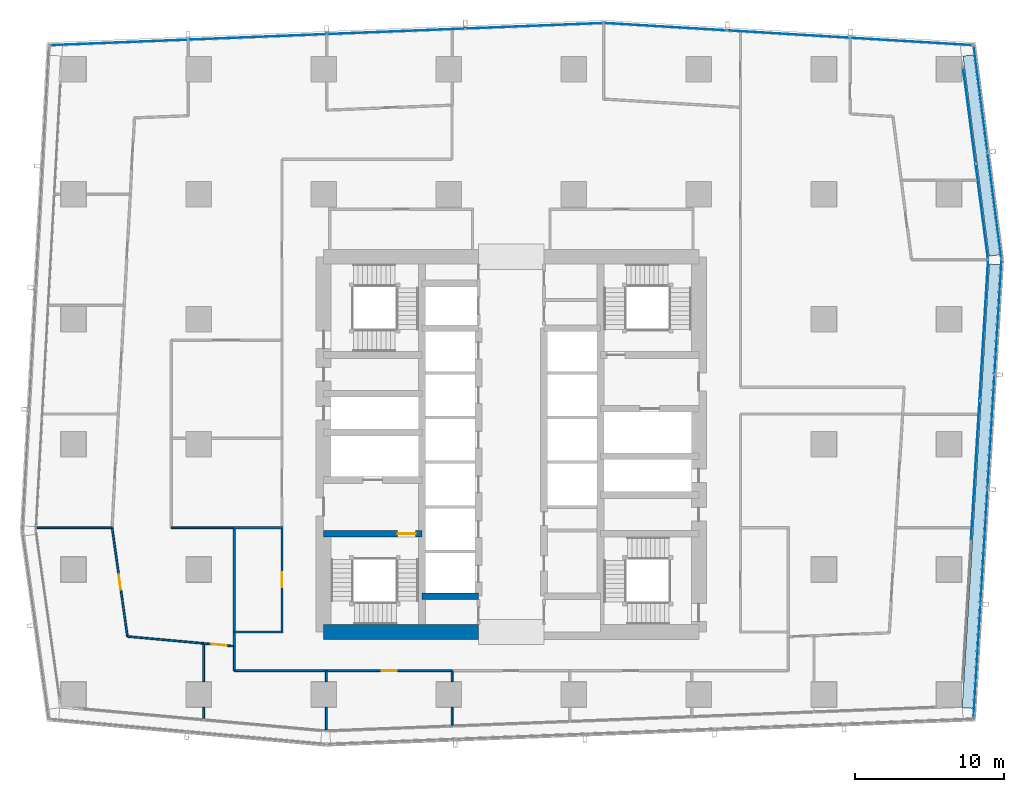
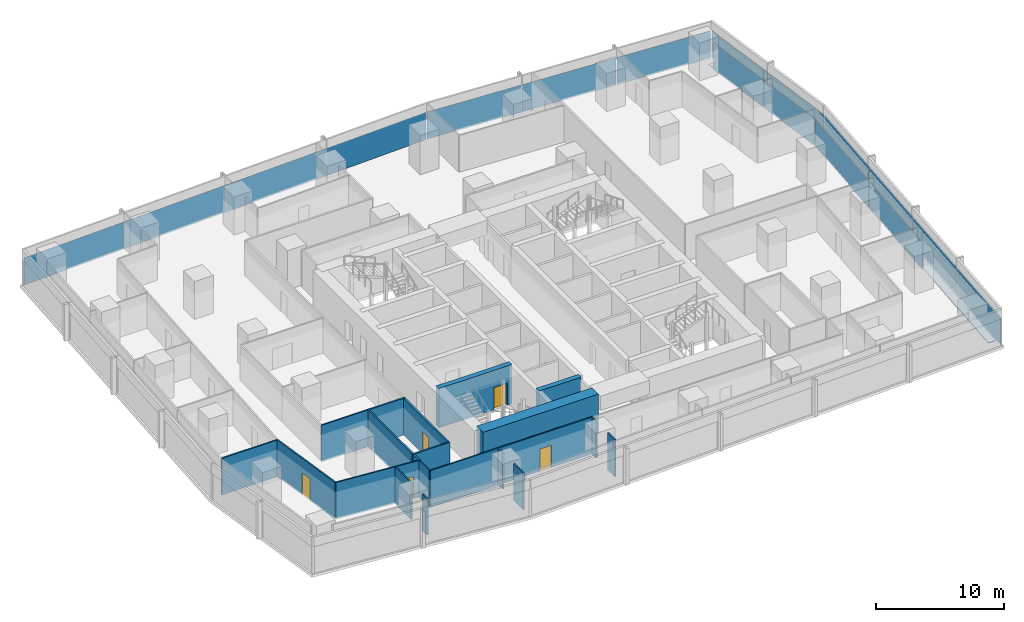
# One storey, part 28 of 40: 22 walls, 19 plates, 5 doors, 5 openings, 6 elements without a shape of their own.
"""IFC4 building model written with IfcOpenShell, lengths in metres."""

from ifc_helpers import new_model, si_unit, direction, frame, frame_2d, origin, origin_2d, place, context, subcontext, project, spatial, rectangle, extrude, material, layer, layer_set, type_object, element, fill, aggregate, save


model = new_model("IFC4")

# Units and contexts
model_context = context("Model", 3, precision=1e-05, world=origin(), true_north=direction((0.0, 1.0)))
body_context = subcontext(model_context, "Body", "Model", "MODEL_VIEW")
ifc_project = project(units=[si_unit("LENGTHUNIT", "METRE"), si_unit("AREAUNIT", "SQUARE_METRE"), si_unit("VOLUMEUNIT", "CUBIC_METRE"), si_unit("PLANEANGLEUNIT", "RADIAN"), si_unit("MASSUNIT", "GRAM", prefix="KILO")], contexts=[model_context])

# Site, building, storey
site_placement = place(None, origin())
site = spatial("IfcSite", under=ifc_project, at=site_placement, CompositionType="ELEMENT")
building_placement = place(site_placement, origin())
building = spatial("IfcBuilding", under=site, at=building_placement, Name="Rekha Terrace Tower", CompositionType="ELEMENT")
storey_placement = place(building_placement, frame((0.0, 0.0, 132.800048828125)))
storey = spatial("IfcBuildingStorey", under=building, at=storey_placement, Name="L33", CompositionType="ELEMENT", Elevation=132.800048828125)

# Curtain wall, plates
ifc_material_1 = material(Name="Aluminium framing", Category="aluminium")
curtain_wall_type_1 = type_object("IfcCurtainWallType", Name="CW1 double skin inner glazing", PredefinedType="USERDEFINED", material=ifc_material_1)
curtain_wall_1_placement = place(storey_placement, origin())
curtain_wall_1 = element("IfcCurtainWall", 1, at=curtain_wall_1_placement, inside=storey, type_object=curtain_wall_type_1, Name="CW1 double skin inner glazing", ObjectType="DOUBLE SKIN INNER GLAZING", PredefinedType="USERDEFINED")
ifc_material_2 = material(Name="Double-glazed low-e unit 32", Category="glass")
ifc_layer_1 = layer(ifc_material_2, 0.031982421875)
ifc_layer_set_1 = layer_set([ifc_layer_1], Name="Double-glazed low-e unit 32")
plate_type_1 = type_object("IfcPlateType", Name="CW1 jumbo vision panel, double-glazed low-e unit 32", PredefinedType="CURTAIN_PANEL", material=ifc_layer_set_1)
plate_1_placement = place(storey_placement, frame((68.968505859375, 31.8193359375, 0.0), z_axis=(0.0, 0.0, 1.0), x_axis=(0.061159803131, 0.998127987024, 0.0)))
plate_1 = element("IfcPlate", 2, at=plate_1_placement, type_object=plate_type_1, Name="CW1 panel 2.1", PredefinedType="CURTAIN_PANEL", context=body_context, shape_type="SweptSolid", body=[
    extrude(rectangle(XDim=9.3876953125, YDim=0.031982421875, at=origin_2d()), origin(), (0.0, 0.0, 1.0), 2.60009765625),
])
plate_2_placement = place(storey_placement, frame((69.547607421875, 41.2705078125, 0.0), z_axis=(0.0, 0.0, 1.0), x_axis=(0.061159803131, 0.998127987024, 0.0)))
plate_2 = element("IfcPlate", 3, at=plate_2_placement, type_object=plate_type_1, Name="CW1 panel 3.1", PredefinedType="CURTAIN_PANEL", context=body_context, shape_type="SweptSolid", body=[
    extrude(rectangle(XDim=9.420166015625, YDim=0.031982421875, at=origin_2d()), origin(), (0.0, 0.0, 1.0), 2.60009765625),
])
aggregate(curtain_wall_1, [plate_1, plate_2])

curtain_wall_2_placement = place(storey_placement, origin())
curtain_wall_2 = element("IfcCurtainWall", 4, at=curtain_wall_2_placement, inside=storey, type_object=curtain_wall_type_1, Name="CW1 double skin inner glazing", ObjectType="DOUBLE SKIN INNER GLAZING", PredefinedType="USERDEFINED")
plate_3_placement = place(storey_placement, frame((69.411376953125, 49.230712890625, 0.0), z_axis=(0.0, 0.0, 1.0), x_axis=(-0.129118383675, 0.991629186237, 0.0)))
plate_3 = element("IfcPlate", 5, at=plate_3_placement, type_object=plate_type_1, Name="CW1 panel 1.1", PredefinedType="CURTAIN_PANEL", context=body_context, shape_type="SweptSolid", body=[
    extrude(rectangle(XDim=6.443115234375, YDim=0.031982421875, at=origin_2d()), origin(), (0.0, 0.0, 1.0), 2.60009765625),
])
plate_4_placement = place(storey_placement, frame((68.571044921875, 55.68408203125, 0.0), z_axis=(0.0, 0.0, 1.0), x_axis=(-0.129118383675, 0.991629186237, 0.0)))
plate_4 = element("IfcPlate", 6, at=plate_4_placement, type_object=plate_type_1, Name="CW1 panel 2.1", PredefinedType="CURTAIN_PANEL", context=body_context, shape_type="SweptSolid", body=[
    extrude(rectangle(XDim=6.443115234375, YDim=0.031982421875, at=origin_2d()), origin(), (0.0, 0.0, 1.0), 2.60009765625),
])
aggregate(curtain_wall_2, [plate_3, plate_4])

curtain_wall_type_2 = type_object("IfcCurtainWallType", Name="CW2 double skin outer glazing", PredefinedType="USERDEFINED", material=ifc_material_1)
curtain_wall_3_placement = place(storey_placement, origin())
curtain_wall_3 = element("IfcCurtainWall", 7, at=curtain_wall_3_placement, inside=storey, type_object=curtain_wall_type_2, Name="CW2 double skin outer glazing", ObjectType="DOUBLE SKIN OUTER GLAZING", PredefinedType="USERDEFINED")
ifc_material_3 = material(Name="Toughened single glazing 12", Category="glass")
ifc_layer_2 = layer(ifc_material_3, 0.011962890625)
ifc_layer_set_2 = layer_set([ifc_layer_2], Name="Toughened single glazing 12")
plate_type_2 = type_object("IfcPlateType", Name="CW2 jumbo vision panel, toughened single glazing 12", PredefinedType="CURTAIN_PANEL", material=ifc_layer_set_2)
plate_5_placement = place(storey_placement, frame((69.086669921875, 19.0302734375, 0.0), z_axis=(0.0, 0.0, 1.0), x_axis=(0.061159803131, 0.998127987024, 0.0)))
plate_5 = element("IfcPlate", 8, at=plate_5_placement, type_object=plate_type_2, Name="CW2 panel 1.1", PredefinedType="CURTAIN_PANEL", context=body_context, shape_type="SweptSolid", body=[
    extrude(rectangle(XDim=7.6064453125, YDim=0.011962890625, at=origin_2d()), origin(), (0.0, 0.0, 1.0), 2.60009765625),
])
plate_6_placement = place(storey_placement, frame((69.557861328125, 26.722412109375, 0.0), z_axis=(0.0, 0.0, 1.0), x_axis=(0.061159803131, 0.998127987024, 0.0)))
plate_6 = element("IfcPlate", 9, at=plate_6_placement, type_object=plate_type_2, Name="CW2 panel 2.1", PredefinedType="CURTAIN_PANEL", context=body_context, shape_type="SweptSolid", body=[
    extrude(rectangle(XDim=7.646484375, YDim=0.011962890625, at=origin_2d()), origin(), (0.0, 0.0, 1.0), 2.60009765625),
])
plate_7_placement = place(storey_placement, frame((70.030517578125, 34.434326171875, 0.0), z_axis=(0.0, 0.0, 1.0), x_axis=(0.061159803131, 0.998127987024, 0.0)))
plate_7 = element("IfcPlate", 10, at=plate_7_placement, type_object=plate_type_2, Name="CW2 panel 3.1", PredefinedType="CURTAIN_PANEL", context=body_context, shape_type="SweptSolid", body=[
    extrude(rectangle(XDim=7.646484375, YDim=0.011962890625, at=origin_2d()), origin(), (0.0, 0.0, 1.0), 2.60009765625),
])
plate_8_placement = place(storey_placement, frame((70.50439453125, 42.16650390625, 0.0), z_axis=(0.0, 0.0, 1.0), x_axis=(0.061159803131, 0.998127987024, 0.0)))
plate_8 = element("IfcPlate", 11, at=plate_8_placement, type_object=plate_type_2, Name="CW2 panel 4.1", PredefinedType="CURTAIN_PANEL", context=body_context, shape_type="SweptSolid", body=[
    extrude(rectangle(XDim=7.6865234375, YDim=0.011962890625, at=origin_2d()), origin(), (0.0, 0.0, 1.0), 2.60009765625),
])
aggregate(curtain_wall_3, [plate_5, plate_6, plate_7, plate_8])

curtain_wall_4_placement = place(storey_placement, origin())
curtain_wall_4 = element("IfcCurtainWall", 12, at=curtain_wall_4_placement, inside=storey, type_object=curtain_wall_type_2, Name="CW2 double skin outer glazing", ObjectType="DOUBLE SKIN OUTER GLAZING", PredefinedType="USERDEFINED")
plate_9_placement = place(storey_placement, frame((70.2666015625, 49.6337890625, 0.0), z_axis=(0.0, 0.0, 1.0), x_axis=(-0.129118383623, 0.991629186244, 0.0)))
plate_9 = element("IfcPlate", 13, at=plate_9_placement, type_object=plate_type_2, Name="CW2 panel 1.1", PredefinedType="CURTAIN_PANEL", context=body_context, shape_type="SweptSolid", body=[
    extrude(rectangle(XDim=7.163818359375, YDim=0.011962890625, at=origin_2d()), origin(), (0.0, 0.0, 1.0), 2.60009765625),
])
plate_10_placement = place(storey_placement, frame((69.331298828125, 56.81689453125, 0.0), z_axis=(0.0, 0.0, 1.0), x_axis=(-0.129118383623, 0.991629186244, 0.0)))
plate_10 = element("IfcPlate", 14, at=plate_10_placement, type_object=plate_type_2, Name="CW2 panel 2.1", PredefinedType="CURTAIN_PANEL", context=body_context, shape_type="SweptSolid", body=[
    extrude(rectangle(XDim=7.163818359375, YDim=0.011962890625, at=origin_2d()), origin(), (0.0, 0.0, 1.0), 2.60009765625),
])
aggregate(curtain_wall_4, [plate_9, plate_10])

curtain_wall_type_3 = type_object("IfcCurtainWallType", Name="CW3 north unitised glazing", PredefinedType="USERDEFINED", material=ifc_material_1)
curtain_wall_5_placement = place(storey_placement, origin())
curtain_wall_5 = element("IfcCurtainWall", 15, at=curtain_wall_5_placement, inside=storey, type_object=curtain_wall_type_3, Name="CW3 unitised curtain wall", ObjectType="UNITISED CURTAIN WALL", PredefinedType="USERDEFINED")
ifc_material_4 = material(Name="Double-glazed unit 28", Category="glass")
ifc_layer_3 = layer(ifc_material_4, 0.028076171875)
ifc_layer_set_3 = layer_set([ifc_layer_3], Name="Double-glazed unit 28")
plate_type_3 = type_object("IfcPlateType", Name="CW3 jumbo vision panel, double-glazed unit 28", PredefinedType="CURTAIN_PANEL", material=ifc_layer_set_3)
plate_11_placement = place(storey_placement, frame((64.6748046875, 60.65966796875, 0.0), z_axis=(0.0, 0.0, 1.0), x_axis=(-0.998199102701, 0.059987926837, 0.0)))
plate_11 = element("IfcPlate", 16, at=plate_11_placement, type_object=plate_type_3, Name="CW3 panel 1.1", PredefinedType="CURTAIN_PANEL", context=body_context, shape_type="SweptSolid", body=[
    extrude(rectangle(XDim=8.171630859375, YDim=0.028076171875, at=origin_2d()), origin(), (0.0, 0.0, 1.0), 2.60009765625),
])
plate_12_placement = place(storey_placement, frame((56.430419921875, 61.155029296875, 0.0), z_axis=(0.0, 0.0, 1.0), x_axis=(-0.998199102701, 0.059987926837, 0.0)))
plate_12 = element("IfcPlate", 17, at=plate_12_placement, type_object=plate_type_3, Name="CW3 panel 2.1", PredefinedType="CURTAIN_PANEL", context=body_context, shape_type="SweptSolid", body=[
    extrude(rectangle(XDim=8.20654296875, YDim=0.028076171875, at=origin_2d()), origin(), (0.0, 0.0, 1.0), 2.60009765625),
])
plate_13_placement = place(storey_placement, frame((48.1513671875, 61.652587890625, 0.0), z_axis=(0.0, 0.0, 1.0), x_axis=(-0.998199102701, 0.059987926837, 0.0)))
plate_13 = element("IfcPlate", 18, at=plate_13_placement, type_object=plate_type_3, Name="CW3 panel 3.1", PredefinedType="CURTAIN_PANEL", context=body_context, shape_type="SweptSolid", body=[
    extrude(rectangle(XDim=8.24169921875, YDim=0.028076171875, at=origin_2d()), origin(), (0.0, 0.0, 1.0), 2.60009765625),
])
aggregate(curtain_wall_5, [plate_11, plate_12, plate_13])

curtain_wall_6_placement = place(storey_placement, origin())
curtain_wall_6 = element("IfcCurtainWall", 19, at=curtain_wall_6_placement, inside=storey, type_object=curtain_wall_type_3, Name="CW3 unitised curtain wall", ObjectType="UNITISED CURTAIN WALL", PredefinedType="USERDEFINED")
plate_14_placement = place(storey_placement, frame((39.364501953125, 61.71240234375, 0.0), z_axis=(0.0, 0.0, 1.0), x_axis=(-0.999198398721, -0.040031987119, 0.0)))
plate_14 = element("IfcPlate", 20, at=plate_14_placement, type_object=plate_type_3, Name="CW3 panel 1.1", PredefinedType="CURTAIN_PANEL", context=body_context, shape_type="SweptSolid", body=[
    extrude(rectangle(XDim=9.214599609375, YDim=0.028076171875, at=origin_2d()), origin(), (0.0, 0.0, 1.0), 2.60009765625),
])
plate_15_placement = place(storey_placement, frame((30.06982421875, 61.340087890625, 0.0), z_axis=(0.0, 0.0, 1.0), x_axis=(-0.999198398721, -0.040031987119, 0.0)))
plate_15 = element("IfcPlate", 21, at=plate_15_placement, type_object=plate_type_3, Name="CW3 panel 2.1", PredefinedType="CURTAIN_PANEL", context=body_context, shape_type="SweptSolid", body=[
    extrude(rectangle(XDim=9.24951171875, YDim=0.028076171875, at=origin_2d()), origin(), (0.0, 0.0, 1.0), 2.60009765625),
])
plate_16_placement = place(storey_placement, frame((20.7578125, 60.967041015625, 0.0), z_axis=(0.0, 0.0, 1.0), x_axis=(-0.999198398721, -0.040031987119, 0.0)))
plate_16 = element("IfcPlate", 22, at=plate_16_placement, type_object=plate_type_3, Name="CW3 panel 3.1", PredefinedType="CURTAIN_PANEL", context=body_context, shape_type="SweptSolid", body=[
    extrude(rectangle(XDim=9.24951171875, YDim=0.028076171875, at=origin_2d()), origin(), (0.0, 0.0, 1.0), 2.60009765625),
])
plate_17_placement = place(storey_placement, frame((11.46337890625, 60.5947265625, 0.0), z_axis=(0.0, 0.0, 1.0), x_axis=(-0.999198398721, -0.040031987119, 0.0)))
plate_17 = element("IfcPlate", 23, at=plate_17_placement, type_object=plate_type_3, Name="CW3 panel 4.1", PredefinedType="CURTAIN_PANEL", context=body_context, shape_type="SweptSolid", body=[
    extrude(rectangle(XDim=9.214599609375, YDim=0.028076171875, at=origin_2d()), origin(), (0.0, 0.0, 1.0), 2.60009765625),
])
aggregate(curtain_wall_6, [plate_14, plate_15, plate_16, plate_17])

# Plates
ifc_material_5 = material(Name="Galvanised steel open grating", Category="steel")
ifc_layer_4 = layer(ifc_material_5, 0.050048828125)
ifc_layer_set_4 = layer_set([ifc_layer_4], Name="Galvanised steel open grating")
plate_type_4 = type_object("IfcPlateType", Name="GT1 cavity walkway grating 50", PredefinedType="USERDEFINED", material=ifc_layer_set_4)
plate_18_placement = place(storey_placement, frame((69.356201171875, 30.78759765625, 0.0), z_axis=(0.0, 0.0, 1.0), x_axis=(0.061159803131, 0.998127987024, 0.0)))
element("IfcPlate", 24, at=plate_18_placement, inside=storey, type_object=plate_type_4, Name="Cavity walkway grating", ObjectType="CAVITY WALKWAY GRATING", PredefinedType="USERDEFINED", context=body_context, shape_type="SweptSolid", body=[
    extrude(rectangle(XDim=29.85595703125, YDim=0.705078125, at=origin_2d()), origin(), (0.0, 0.0, 1.0), 0.050048828125),
])
plate_19_placement = place(storey_placement, frame((69.373779296875, 53.004150390625, 0.0), z_axis=(0.0, 0.0, 1.0), x_axis=(-0.129118383623, 0.991629186244, 0.0)))
element("IfcPlate", 25, at=plate_19_placement, inside=storey, type_object=plate_type_4, Name="Cavity walkway grating", ObjectType="CAVITY WALKWAY GRATING", PredefinedType="USERDEFINED", context=body_context, shape_type="SweptSolid", body=[
    extrude(rectangle(XDim=13.552734375, YDim=0.705078125, at=origin_2d()), origin(), (0.0, 0.0, 1.0), 0.050048828125),
])

# Wall
ifc_material_6 = material(Name="Concrete M70", Category="concrete")
ifc_layer_5 = layer(ifc_material_6, 0.449951171875)
ifc_layer_set_5 = layer_set([ifc_layer_5], Name="Concrete M70")
wall_type_1 = type_object("IfcWallType", Name="CI2 450 core internal shear wall", PredefinedType="SHEAR", material=ifc_layer_set_5)
wall_1_placement = place(storey_placement, frame((31.800048828125, 23.39990234375, 0.0), z_axis=(0.0, 0.0, 1.0), x_axis=(1.0, 0.0, 0.0)))
element("IfcWall", 26, at=wall_1_placement, inside=storey, type_object=wall_type_1, Name="Core wall Y234W L33", PredefinedType="SHEAR", context=body_context, shape_type="SweptSolid", body=[
    extrude(rectangle(XDim=3.800048828125, YDim=0.449951171875, at=frame_2d((1.89990234375, 0.0))), origin(), (0.0, 0.0, 1.0), 3.75),
])

# Wall, opening, door
wall_2_placement = place(storey_placement, frame((25.199951171875, 27.60009765625, 0.0), z_axis=(0.0, 0.0, 1.0), x_axis=(1.0, 0.0, 0.0)))
wall_2 = element("IfcWall", 27, at=wall_2_placement, inside=storey, type_object=wall_type_1, Name="Core wall Y276W L33", PredefinedType="SHEAR", context=body_context, shape_type="SweptSolid", body=[
    extrude(rectangle(XDim=6.60009765625, YDim=0.449951171875, at=frame_2d((3.300048828125, 0.0))), origin(), (0.0, 0.0, 1.0), 3.75),
])
opening_1_placement = place(wall_2_placement, frame((4.97509765625, 0.0, 0.0)))
opening_1 = element("IfcOpeningElement", 28, at=opening_1_placement, cuts=wall_2, Name="Opening D1", PredefinedType="OPENING", context=body_context, shape_type="SweptSolid", body=[
    extrude(rectangle(XDim=1.199951171875, YDim=2.10009765625, at=frame_2d((0.60009765625, 1.050048828125))), frame((0.0, 0.23486328125, 0.0), z_axis=(0.0, -1.0, 0.0), x_axis=(1.0, 0.0, 0.0)), (0.0, 0.0, 1.0), 0.469970703125),
])
ifc_material_7 = material(Name="Steel fire door", Category="steel")
door_type_1 = type_object("IfcDoorType", Name="D1 1200x2100 stair fire door", OperationType="SINGLE_SWING_RIGHT", PredefinedType="DOOR", material=ifc_material_7)
door_1_placement = place(opening_1_placement, origin())
door_1 = element("IfcDoor", 29, at=door_1_placement, inside=storey, type_object=door_type_1, Name="Stair ST1 door L33", OperationType="SINGLE_SWING_RIGHT", OverallHeight=2.10009765625, OverallWidth=1.199951171875, PredefinedType="DOOR", context=body_context, shape_type="SweptSolid", body=[
    extrude(rectangle(XDim=1.199951171875, YDim=2.10009765625, at=frame_2d((0.60009765625, 1.050048828125))), frame((0.0, 0.02490234375, 0.0), z_axis=(0.0, -1.0, 0.0), x_axis=(1.0, 0.0, 0.0)), (0.0, 0.0, 1.0), 0.050048828125),
])
fill(opening_1, door_1)

# Walls
ifc_layer_6 = layer(ifc_material_6, 1.0)
ifc_layer_set_6 = layer_set([ifc_layer_6], Name="Concrete M70")
wall_type_2 = type_object("IfcWallType", Name="SW2 1000 core outer shear wall", PredefinedType="SHEAR", material=ifc_layer_set_6)
wall_3_placement = place(storey_placement, frame((25.199951171875, 21.0, 0.0), z_axis=(0.0, 0.0, 1.0), x_axis=(1.0, 0.0, 0.0)))
element("IfcWall", 30, at=wall_3_placement, inside=storey, type_object=wall_type_2, Name="Core wall S1 L33", PredefinedType="SHEAR", context=body_context, shape_type="SweptSolid", body=[
    extrude(rectangle(XDim=10.400146484375, YDim=1.0, at=frame_2d((5.2001953125, 0.0))), origin(), (0.0, 0.0, 1.0), 3.75),
])
ifc_material_8 = material(Name="Concrete block masonry, 1 hour", Category="masonry")
ifc_layer_7 = layer(ifc_material_8, 0.14990234375)
ifc_layer_set_7 = layer_set([ifc_layer_7], Name="Concrete block masonry, 1 hour")
wall_type_3 = type_object("IfcWallType", Name="WP2 150 tenancy partition", PredefinedType="PARTITIONING", material=ifc_layer_set_7)
for number, where, z_axis, x_axis, name in (
    (31, (19.125, 21.0, 0.0), (0.0, 0.0, 1.0), (1.0, 0.0, 0.0), "Men's WC wall L33"),
    (32, (19.125, 28.0, 0.0), (0.0, 0.0, 1.0), (1.0, 0.0, 0.0), "Men's WC wall L33"),
):
    element("IfcWall", number, at=place(storey_placement, frame(where, z_axis=z_axis, x_axis=x_axis)), inside=storey, type_object=wall_type_3, Name=name, PredefinedType="PARTITIONING", context=body_context, shape_type="SweptSolid", body=[
        extrude(rectangle(XDim=3.35009765625, YDim=0.14990234375, at=frame_2d((1.675048828125, 0.0))), origin(), (0.0, 0.0, 1.0), 3.5),
    ])
wall_4_placement = place(storey_placement, frame((19.199951171875, 21.074951171875, 0.0), z_axis=(0.0, 0.0, 1.0), x_axis=(0.0, 1.0, 0.0)))
element("IfcWall", 33, at=wall_4_placement, inside=storey, type_object=wall_type_3, Name="Men's WC wall L33", PredefinedType="PARTITIONING", context=body_context, shape_type="SweptSolid", body=[
    extrude(rectangle(XDim=6.85009765625, YDim=0.14990234375, at=frame_2d((3.425048828125, 0.0))), origin(), (0.0, 0.0, 1.0), 3.5),
])

# Wall, opening, door
wall_5_placement = place(storey_placement, frame((22.39990234375, 21.074951171875, 0.0), z_axis=(0.0, 0.0, 1.0), x_axis=(0.0, 1.0, 0.0)))
wall_5 = element("IfcWall", 34, at=wall_5_placement, inside=storey, type_object=wall_type_3, Name="Men's WC wall L33", PredefinedType="PARTITIONING", context=body_context, shape_type="SweptSolid", body=[
    extrude(rectangle(XDim=6.85009765625, YDim=0.14990234375, at=frame_2d((3.425048828125, 0.0))), origin(), (0.0, 0.0, 1.0), 3.5),
])
opening_2_placement = place(wall_5_placement, frame((2.925048828125, 0.0, 0.0)))
opening_2 = element("IfcOpeningElement", 35, at=opening_2_placement, cuts=wall_5, Name="Opening D3", PredefinedType="OPENING", context=body_context, shape_type="SweptSolid", body=[
    extrude(rectangle(XDim=1.0, YDim=2.10009765625, at=frame_2d((0.5, 1.050048828125))), frame((0.0, 0.0849609375, 0.0), z_axis=(0.0, -1.0, 0.0), x_axis=(1.0, 0.0, 0.0)), (0.0, 0.0, 1.0), 0.169921875),
])
ifc_material_9 = material(Name="Laminated timber fire door", Category="wood")
door_type_2 = type_object("IfcDoorType", Name="D3 1000x2100 WC door", OperationType="SINGLE_SWING_LEFT", PredefinedType="DOOR", material=ifc_material_9)
door_2_placement = place(opening_2_placement, origin())
door_2 = element("IfcDoor", 36, at=door_2_placement, inside=storey, type_object=door_type_2, Name="Door men's wc L33", OperationType="SINGLE_SWING_LEFT", OverallHeight=2.10009765625, OverallWidth=1.0, PredefinedType="DOOR", context=body_context, shape_type="SweptSolid", body=[
    extrude(rectangle(XDim=1.0, YDim=2.10009765625, at=frame_2d((0.5, 1.050048828125))), frame((0.0, 0.02490234375, 0.0), z_axis=(0.0, -1.0, 0.0), x_axis=(1.0, 0.0, 0.0)), (0.0, 0.0, 1.0), 0.050048828125),
])
fill(opening_2, door_2)

# Wall
wall_6_placement = place(storey_placement, frame((19.199951171875, 20.925048828125, 0.0), z_axis=(0.0, 0.0, 1.0), x_axis=(0.0, -1.0, 0.0)))
element("IfcWall", 37, at=wall_6_placement, inside=storey, type_object=wall_type_3, Name="Partition L33-O2", PredefinedType="PARTITIONING", context=body_context, shape_type="SweptSolid", body=[
    extrude(rectangle(XDim=0.884033203125, YDim=0.14990234375, at=frame_2d((0.44189453125, 0.0))), origin(), (0.0, 0.0, 1.0), 3.5),
])

# Wall, opening, door
ifc_material_10 = material(Name="Two layers of fire-rated gypsum board each side on steel studs, acoustic quilt, 1 hour", Category="steel")
ifc_layer_8 = layer(ifc_material_10, 0.125)
ifc_layer_set_8 = layer_set([ifc_layer_8], Name="Two layers of fire-rated gypsum board each side on steel studs, acoustic quilt, 1 hour")
wall_type_4 = type_object("IfcWallType", Name="WP3 125 office partition", PredefinedType="PARTITIONING", material=ifc_layer_set_8)
wall_7_placement = place(storey_placement, frame((25.3798828125, 18.39990234375, 0.0), z_axis=(0.0, 0.0, 1.0), x_axis=(1.0, 0.0, 0.0)))
wall_7 = element("IfcWall", 38, at=wall_7_placement, inside=storey, type_object=wall_type_4, Name="Partition L33-08", PredefinedType="PARTITIONING", context=body_context, shape_type="SweptSolid", body=[
    extrude(rectangle(XDim=8.445068359375, YDim=0.125, at=frame_2d((4.22265625, 0.0))), origin(), (0.0, 0.0, 1.0), 3.5),
])
opening_3_placement = place(wall_7_placement, frame((3.722900390625, 0.0, 0.0)))
opening_3 = element("IfcOpeningElement", 39, at=opening_3_placement, cuts=wall_7, Name="Opening D9", PredefinedType="OPENING", context=body_context, shape_type="SweptSolid", body=[
    extrude(rectangle(XDim=1.0, YDim=2.10009765625, at=frame_2d((0.5, 1.050048828125))), frame((0.0, 0.072509765625, 0.0), z_axis=(0.0, -1.0, 0.0), x_axis=(1.0, 0.0, 0.0)), (0.0, 0.0, 1.0), 0.14501953125),
])
ifc_material_11 = material(Name="Timber fire door", Category="wood")
door_type_3 = type_object("IfcDoorType", Name="D9 1000x2100 office door", OperationType="SINGLE_SWING_LEFT", PredefinedType="DOOR", material=ifc_material_11)
door_3_placement = place(opening_3_placement, origin())
door_3 = element("IfcDoor", 40, at=door_3_placement, inside=storey, type_object=door_type_3, Name="Door print room L33", OperationType="SINGLE_SWING_LEFT", OverallHeight=2.10009765625, OverallWidth=1.0, PredefinedType="DOOR", context=body_context, shape_type="SweptSolid", body=[
    extrude(rectangle(XDim=1.0, YDim=2.10009765625, at=frame_2d((0.5, 1.050048828125))), frame((0.0, 0.02490234375, 0.0), z_axis=(0.0, -1.0, 0.0), x_axis=(1.0, 0.0, 0.0)), (0.0, 0.0, 1.0), 0.050048828125),
])
fill(opening_3, door_3)

# Walls
wall_8_placement = place(storey_placement, frame((33.824951171875, 18.39990234375, 0.0), z_axis=(0.0, 0.0, 1.0), x_axis=(0.0, -1.0, 0.0)))
element("IfcWall", 41, at=wall_8_placement, inside=storey, type_object=wall_type_4, Name="Partition L33-08", PredefinedType="PARTITIONING", context=body_context, shape_type="SweptSolid", body=[
    extrude(rectangle(XDim=0.72998046875, YDim=0.125, at=frame_2d((0.364990234375, 0.0))), origin(), (0.0, 0.0, 1.0), 3.5),
])
wall_9_placement = place(storey_placement, frame((33.824951171875, 15.929931640625, 0.0), z_axis=(0.0, 0.0, 1.0), x_axis=(0.0, -1.0, 0.0)))
element("IfcWall", 42, at=wall_9_placement, inside=storey, type_object=wall_type_4, Name="Partition L33-08", PredefinedType="PARTITIONING", context=body_context, shape_type="SweptSolid", body=[
    extrude(rectangle(XDim=1.18798828125, YDim=0.125, at=frame_2d((0.593994140625, 0.0))), origin(), (0.0, 0.0, 1.0), 3.5),
])
wall_10_placement = place(storey_placement, frame((25.3798828125, 14.443115234375, 0.0), z_axis=(0.0, 0.0, 1.0), x_axis=(0.0, 1.0, 0.0)))
element("IfcWall", 43, at=wall_10_placement, inside=storey, type_object=wall_type_4, Name="Partition L33-08", PredefinedType="PARTITIONING", context=body_context, shape_type="SweptSolid", body=[
    extrude(rectangle(XDim=1.48681640625, YDim=0.125, at=frame_2d((0.743408203125, 0.0))), origin(), (0.0, 0.0, 1.0), 3.5),
])
wall_11_placement = place(storey_placement, frame((25.3798828125, 17.669921875, 0.0), z_axis=(0.0, 0.0, 1.0), x_axis=(0.0, 1.0, 0.0)))
element("IfcWall", 44, at=wall_11_placement, inside=storey, type_object=wall_type_4, Name="Partition L33-08", PredefinedType="PARTITIONING", context=body_context, shape_type="SweptSolid", body=[
    extrude(rectangle(XDim=0.72998046875, YDim=0.125, at=frame_2d((0.364990234375, 0.0))), origin(), (0.0, 0.0, 1.0), 3.5),
])
wall_12_placement = place(storey_placement, frame((10.98193359375, 28.0, 0.0), z_axis=(0.0, 0.0, 1.0), x_axis=(-1.0, 0.0, 0.0)))
element("IfcWall", 45, at=wall_12_placement, inside=storey, type_object=wall_type_4, Name="Partition L33-15", PredefinedType="PARTITIONING", context=body_context, shape_type="SweptSolid", body=[
    extrude(rectangle(XDim=5.02783203125, YDim=0.125, at=frame_2d((2.513916015625, 0.0))), origin(), (0.0, 0.0, 1.0), 3.5),
])

# Wall, opening, door
wall_13_placement = place(storey_placement, frame((10.988037109375, 27.9990234375, 0.0), z_axis=(0.0, 0.0, 1.0), x_axis=(0.139623458625, -0.990204670662, 0.0)))
wall_13 = element("IfcWall", 46, at=wall_13_placement, inside=storey, type_object=wall_type_4, Name="Partition L33-16", PredefinedType="PARTITIONING", context=body_context, shape_type="SweptSolid", body=[
    extrude(rectangle(XDim=7.377197265625, YDim=0.125, at=frame_2d((3.6884765625, 0.0))), origin(), (0.0, 0.0, 1.0), 3.5),
])
opening_4_placement = place(wall_13_placement, frame((3.18896484375, 0.0, 0.0)))
opening_4 = element("IfcOpeningElement", 47, at=opening_4_placement, cuts=wall_13, Name="Opening D9", PredefinedType="OPENING", context=body_context, shape_type="SweptSolid", body=[
    extrude(rectangle(XDim=1.0, YDim=2.10009765625, at=frame_2d((0.5, 1.050048828125))), frame((0.0, 0.072509765625, 0.0), z_axis=(0.0, -1.0, 0.0), x_axis=(1.0, 0.0, 0.0)), (0.0, 0.0, 1.0), 0.14501953125),
])
door_4_placement = place(opening_4_placement, origin())
door_4 = element("IfcDoor", 48, at=door_4_placement, inside=storey, type_object=door_type_3, Name="Door director's office L33", OperationType="SINGLE_SWING_LEFT", OverallHeight=2.10009765625, OverallWidth=1.0, PredefinedType="DOOR", context=body_context, shape_type="SweptSolid", body=[
    extrude(rectangle(XDim=1.0, YDim=2.10009765625, at=frame_2d((0.5, 1.050048828125))), frame((0.0, 0.02490234375, 0.0), z_axis=(0.0, -1.0, 0.0), x_axis=(1.0, 0.0, 0.0)), (0.0, 0.0, 1.0), 0.050048828125),
])
fill(opening_4, door_4)

# Walls
wall_14_placement = place(storey_placement, frame((12.01806640625, 20.694091796875, 0.0), z_axis=(0.0, 0.0, 1.0), x_axis=(0.995893206468, -0.090535746043, 0.0)))
element("IfcWall", 49, at=wall_14_placement, inside=storey, type_object=wall_type_4, Name="Partition L33-16", PredefinedType="PARTITIONING", context=body_context, shape_type="SweptSolid", body=[
    extrude(rectangle(XDim=5.136962890625, YDim=0.125, at=frame_2d((2.568359375, 0.0))), origin(), (0.0, 0.0, 1.0), 3.5),
])
wall_15_placement = place(storey_placement, frame((17.134033203125, 20.22900390625, 0.0), z_axis=(0.0, 0.0, 1.0), x_axis=(0.0, -1.0, 0.0)))
element("IfcWall", 50, at=wall_15_placement, inside=storey, type_object=wall_type_4, Name="Partition L33-16", PredefinedType="PARTITIONING", context=body_context, shape_type="SweptSolid", body=[
    extrude(rectangle(XDim=2.55908203125, YDim=0.125, at=frame_2d((1.279541015625, 0.0))), origin(), (0.0, 0.0, 1.0), 3.5),
])
wall_16_placement = place(storey_placement, frame((17.134033203125, 15.929931640625, 0.0), z_axis=(0.0, 0.0, 1.0), x_axis=(0.0, -1.0, 0.0)))
element("IfcWall", 51, at=wall_16_placement, inside=storey, type_object=wall_type_4, Name="Partition L33-16", PredefinedType="PARTITIONING", context=body_context, shape_type="SweptSolid", body=[
    extrude(rectangle(XDim=0.741943359375, YDim=0.125, at=frame_2d((0.37109375, 0.0))), origin(), (0.0, 0.0, 1.0), 3.5),
])
wall_17_placement = place(storey_placement, frame((19.199951171875, 18.39990234375, 0.0), z_axis=(0.0, 0.0, 1.0), x_axis=(1.0, 0.0, 0.0)))
element("IfcWall", 52, at=wall_17_placement, inside=storey, type_object=wall_type_4, Name="Partition L33-17", PredefinedType="PARTITIONING", context=body_context, shape_type="SweptSolid", body=[
    extrude(rectangle(XDim=6.178955078125, YDim=0.125, at=frame_2d((3.08935546875, 0.0))), origin(), (0.0, 0.0, 1.0), 3.5),
])

# Wall, opening, door
wall_18_placement = place(storey_placement, frame((17.135009765625, 20.22900390625, 0.0), z_axis=(0.0, 0.0, 1.0), x_axis=(0.995881616909, -0.090663140816, 0.0)))
wall_18 = element("IfcWall", 53, at=wall_18_placement, inside=storey, type_object=wall_type_4, Name="Partition L33-17", PredefinedType="PARTITIONING", context=body_context, shape_type="SweptSolid", body=[
    extrude(rectangle(XDim=2.073486328125, YDim=0.125, at=frame_2d((1.03662109375, 0.0))), origin(), (0.0, 0.0, 1.0), 3.5),
])
opening_5_placement = place(wall_18_placement, frame((0.537109375, 0.0, 0.0)))
opening_5 = element("IfcOpeningElement", 54, at=opening_5_placement, cuts=wall_18, Name="Opening D9", PredefinedType="OPENING", context=body_context, shape_type="SweptSolid", body=[
    extrude(rectangle(XDim=1.0, YDim=2.10009765625, at=frame_2d((0.5, 1.050048828125))), frame((0.0, 0.072509765625, 0.0), z_axis=(0.0, -1.0, 0.0), x_axis=(1.0, 0.0, 0.0)), (0.0, 0.0, 1.0), 0.14501953125),
])
door_5_placement = place(opening_5_placement, origin())
door_5 = element("IfcDoor", 55, at=door_5_placement, inside=storey, type_object=door_type_3, Name="Door breakout lounge L33", OperationType="SINGLE_SWING_LEFT", OverallHeight=2.10009765625, OverallWidth=1.0, PredefinedType="DOOR", context=body_context, shape_type="SweptSolid", body=[
    extrude(rectangle(XDim=1.0, YDim=2.10009765625, at=frame_2d((0.5, 1.050048828125))), frame((0.0, 0.02490234375, 0.0), z_axis=(0.0, -1.0, 0.0), x_axis=(1.0, 0.0, 0.0)), (0.0, 0.0, 1.0), 0.050048828125),
])
fill(opening_5, door_5)

# Walls
wall_19_placement = place(storey_placement, frame((19.199951171875, 20.041015625, 0.0), z_axis=(0.0, 0.0, 1.0), x_axis=(0.0, -1.0, 0.0)))
element("IfcWall", 56, at=wall_19_placement, inside=storey, type_object=wall_type_4, Name="Partition L33-17", PredefinedType="PARTITIONING", context=body_context, shape_type="SweptSolid", body=[
    extrude(rectangle(XDim=1.64111328125, YDim=0.125, at=frame_2d((0.820556640625, 0.0))), origin(), (0.0, 0.0, 1.0), 3.5),
])
wall_20_placement = place(storey_placement, frame((19.125, 28.0, 0.0), z_axis=(0.0, 0.0, 1.0), x_axis=(-1.0, 0.0, 0.0)))
element("IfcWall", 57, at=wall_20_placement, inside=storey, type_object=wall_type_4, Name="Partition L33-18", PredefinedType="PARTITIONING", context=body_context, shape_type="SweptSolid", body=[
    extrude(rectangle(XDim=4.175048828125, YDim=0.125, at=frame_2d((2.08740234375, 0.0))), origin(), (0.0, 0.0, 1.0), 3.5),
])

save(model, "model.ifc")
